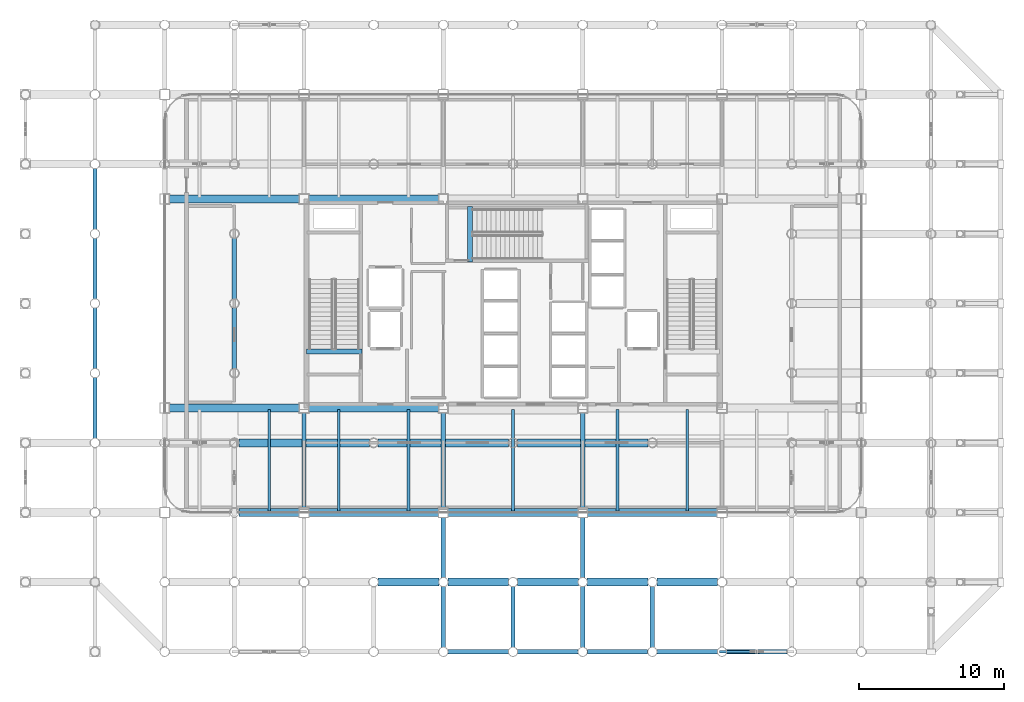
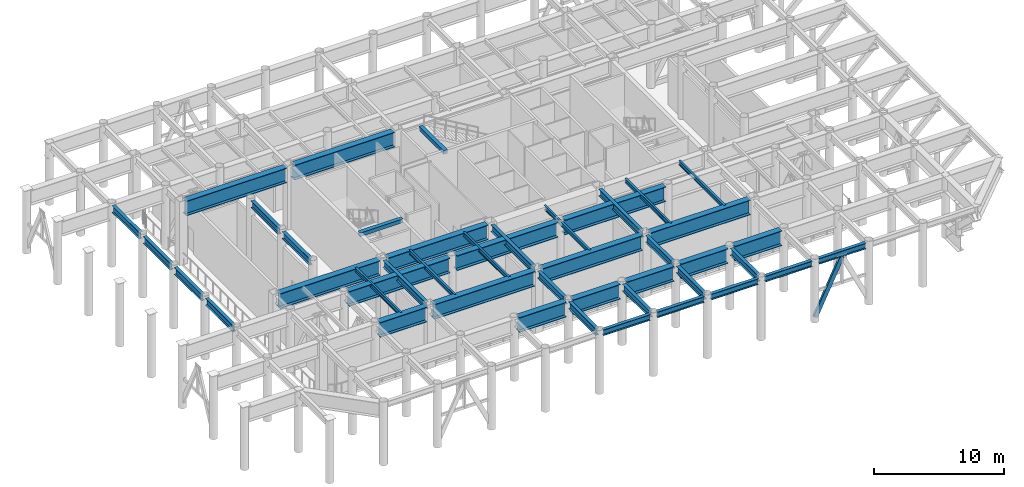
# One storey, part 6 of 20: 44 beams, 1 member.
"""IFC4 building model written with IfcOpenShell, lengths in metres."""

from ifc_helpers import new_model, si_unit, direction, frame, origin, origin_2d, place, context, subcontext, project, spatial, rectangle, hollow_rectangle, i_section, extrude, material, material_profile, profile_set, type_object, element, save


model = new_model("IFC4")

# Units and contexts
model_context = context("Model", 3, precision=1e-05, world=origin(), true_north=direction((0.0, 1.0)))
body_context = subcontext(model_context, "Body", "Model", "MODEL_VIEW")
ifc_project = project(units=[si_unit("LENGTHUNIT", "METRE"), si_unit("AREAUNIT", "SQUARE_METRE"), si_unit("VOLUMEUNIT", "CUBIC_METRE"), si_unit("PLANEANGLEUNIT", "RADIAN"), si_unit("MASSUNIT", "GRAM", prefix="KILO")], contexts=[model_context])

# Site, building, storey
site_placement = place(None, origin())
site = spatial("IfcSite", under=ifc_project, at=site_placement, CompositionType="ELEMENT")
building_placement = place(site_placement, origin())
building = spatial("IfcBuilding", under=site, at=building_placement, Name="Kallvorn Hotel Tower", CompositionType="ELEMENT")
storey_placement = place(building_placement, frame((0.0, 0.0, 185.5)))
storey = spatial("IfcBuildingStorey", under=building, at=storey_placement, Name="L46", CompositionType="ELEMENT", Elevation=185.5)

# Beams
ifc_material_1 = material(Name="Structural steel S355JR", Category="steel")
ifc_material_profile_1 = material_profile(ifc_material_1, i_section(OverallWidth=0.300048828125, OverallDepth=0.550048828125, WebThickness=0.014892578125, FlangeThickness=0.029052734375, at=origin_2d()), Name="HE 550 B")
ifc_profile_set_1 = profile_set([ifc_material_profile_1], Name="Structural steel S355JR")
beam_type_1 = type_object("IfcBeamType", Name="BM_HE550B", PredefinedType="SPANDREL", material=ifc_profile_set_1)
for number, where, z_axis, x_axis, name in (
    (1, (-4.47998046875, -24.0, 5.544921875), (1.0, 0.0, 0.0), (0.0, 1.0, 0.0), "L47 Perimeter Spandrel 164"),
    (2, (0.320068359375, -24.0, 5.544921875), (1.0, 0.0, 0.0), (0.0, 1.0, 0.0), "L47 Perimeter Spandrel 165"),
    (3, (5.1201171875, -24.0, 5.544921875), (1.0, 0.0, 0.0), (0.0, 1.0, 0.0), "L47 Perimeter Spandrel 166"),
):
    element("IfcBeam", number, at=place(storey_placement, frame(where, z_axis=z_axis, x_axis=x_axis)), inside=storey, type_object=beam_type_1, Name=name, PredefinedType="SPANDREL", context=body_context, shape_type="SweptSolid", body=[
        extrude(i_section(OverallWidth=0.300048828125, OverallDepth=0.550048828125, WebThickness=0.014892578125, FlangeThickness=0.029052734375, at=origin_2d()), origin(), (0.0, 0.0, 1.0), 4.159912109375),
    ])
beam_1_placement = place(storey_placement, frame((9.919921875, -24.0, 5.544921875), z_axis=(1.0, 0.0, 0.0), x_axis=(0.0, 1.0, 0.0)))
element("IfcBeam", 4, at=beam_1_placement, inside=storey, type_object=beam_type_1, Name="L47 Perimeter Spandrel 167", PredefinedType="SPANDREL", context=body_context, shape_type="SweptSolid", body=[
    extrude(i_section(OverallWidth=0.300048828125, OverallDepth=0.550048828125, WebThickness=0.014892578125, FlangeThickness=0.029052734375, at=origin_2d()), origin(), (0.0, 0.0, 1.0), 4.16015625),
])
beam_2_placement = place(storey_placement, frame((14.719970703125, -24.0, 5.544921875), z_axis=(1.0, 0.0, 0.0), x_axis=(0.0, 1.0, 0.0)))
element("IfcBeam", 5, at=beam_2_placement, inside=storey, type_object=beam_type_1, Name="L47 Perimeter Spandrel 168", PredefinedType="SPANDREL", context=body_context, shape_type="SweptSolid", body=[
    extrude(i_section(OverallWidth=0.300048828125, OverallDepth=0.550048828125, WebThickness=0.014892578125, FlangeThickness=0.029052734375, at=origin_2d()), origin(), (0.0, 0.0, 1.0), 4.159912109375),
])
ifc_material_2 = material(Name="Structural steel S355JR", Category="steel")
ifc_material_profile_2 = material_profile(ifc_material_2, i_section(OverallWidth=0.300048828125, OverallDepth=0.64990234375, WebThickness=0.01611328125, FlangeThickness=0.031005859375, at=origin_2d()), Name="HE 650 B")
ifc_profile_set_2 = profile_set([ifc_material_profile_2], Name="Structural steel S355JR")
beam_type_2 = type_object("IfcBeamType", Name="BM_HE650B", PredefinedType="BEAM", material=ifc_profile_set_2)
beam_3_placement = place(storey_placement, frame((-28.800048828125, -9.294921875, 5.4951171875), z_axis=(0.0, 1.0, 0.0), x_axis=(-1.0, 0.0, 0.0)))
element("IfcBeam", 6, at=beam_3_placement, inside=storey, type_object=beam_type_2, Name="L47 Primary Y-Girder 85", PredefinedType="BEAM", context=body_context, shape_type="SweptSolid", body=[
    extrude(i_section(OverallWidth=0.300048828125, OverallDepth=0.64990234375, WebThickness=0.01611328125, FlangeThickness=0.031005859375, at=origin_2d()), origin(), (0.0, 0.0, 1.0), 4.18994140625),
])
for number, where, z_axis, x_axis, name in (
    (7, (-28.800048828125, -4.4951171875, 5.4951171875), (0.0, 1.0, 0.0), (-1.0, 0.0, 0.0), "L47 Primary Y-Girder 86"),
    (8, (-28.800048828125, 0.304931640625, 5.4951171875), (0.0, 1.0, 0.0), (-1.0, 0.0, 0.0), "L47 Primary Y-Girder 87"),
):
    element("IfcBeam", number, at=place(storey_placement, frame(where, z_axis=z_axis, x_axis=x_axis)), inside=storey, type_object=beam_type_2, Name=name, PredefinedType="BEAM", context=body_context, shape_type="SweptSolid", body=[
        extrude(i_section(OverallWidth=0.300048828125, OverallDepth=0.64990234375, WebThickness=0.01611328125, FlangeThickness=0.031005859375, at=origin_2d()), origin(), (0.0, 0.0, 1.0), 4.190185546875),
    ])
beam_4_placement = place(storey_placement, frame((-28.800048828125, 5.10498046875, 5.4951171875), z_axis=(0.0, 1.0, 0.0), x_axis=(-1.0, 0.0, 0.0)))
element("IfcBeam", 9, at=beam_4_placement, inside=storey, type_object=beam_type_2, Name="L47 Primary Y-Girder 88", PredefinedType="BEAM", context=body_context, shape_type="SweptSolid", body=[
    extrude(i_section(OverallWidth=0.300048828125, OverallDepth=0.64990234375, WebThickness=0.01611328125, FlangeThickness=0.031005859375, at=origin_2d()), origin(), (0.0, 0.0, 1.0), 4.18994140625),
])
for number, where, z_axis, x_axis, name in (
    (10, (-19.199951171875, -4.4951171875, 5.4951171875), (0.0, 1.0, 0.0), (-1.0, 0.0, 0.0), "L47 Primary Y-Girder 102"),
    (11, (-19.199951171875, 0.304931640625, 5.4951171875), (0.0, 1.0, 0.0), (-1.0, 0.0, 0.0), "L47 Primary Y-Girder 103"),
):
    element("IfcBeam", number, at=place(storey_placement, frame(where, z_axis=z_axis, x_axis=x_axis)), inside=storey, type_object=beam_type_2, Name=name, PredefinedType="BEAM", context=body_context, shape_type="SweptSolid", body=[
        extrude(i_section(OverallWidth=0.300048828125, OverallDepth=0.64990234375, WebThickness=0.01611328125, FlangeThickness=0.031005859375, at=origin_2d()), origin(), (0.0, 0.0, 1.0), 4.190185546875),
    ])
beam_5_placement = place(storey_placement, frame((-14.39990234375, -14.074951171875, 5.4951171875), z_axis=(0.0, 1.0, 0.0), x_axis=(-1.0, 0.0, 0.0)))
element("IfcBeam", 12, at=beam_5_placement, inside=storey, type_object=beam_type_2, Name="L47 Primary Y-Girder 109", PredefinedType="BEAM", context=body_context, shape_type="SweptSolid", body=[
    extrude(i_section(OverallWidth=0.300048828125, OverallDepth=0.64990234375, WebThickness=0.01611328125, FlangeThickness=0.031005859375, at=origin_2d()), origin(), (0.0, 0.0, 1.0), 6.550048828125),
])
beam_6_placement = place(storey_placement, frame((-4.800048828125, -23.695068359375, 5.4951171875), z_axis=(0.0, 1.0, 0.0), x_axis=(-1.0, 0.0, 0.0)))
element("IfcBeam", 13, at=beam_6_placement, inside=storey, type_object=beam_type_2, Name="L47 Primary Y-Girder 115", PredefinedType="BEAM", context=body_context, shape_type="SweptSolid", body=[
    extrude(i_section(OverallWidth=0.300048828125, OverallDepth=0.64990234375, WebThickness=0.01611328125, FlangeThickness=0.031005859375, at=origin_2d()), origin(), (0.0, 0.0, 1.0), 4.190185546875),
])
beam_7_placement = place(storey_placement, frame((-4.800048828125, -18.89501953125, 5.4951171875), z_axis=(0.0, 1.0, 0.0), x_axis=(-1.0, 0.0, 0.0)))
element("IfcBeam", 14, at=beam_7_placement, inside=storey, type_object=beam_type_2, Name="L47 Primary Y-Girder 116", PredefinedType="BEAM", context=body_context, shape_type="SweptSolid", body=[
    extrude(i_section(OverallWidth=0.300048828125, OverallDepth=0.64990234375, WebThickness=0.01611328125, FlangeThickness=0.031005859375, at=origin_2d()), origin(), (0.0, 0.0, 1.0), 4.169921875),
])
beam_8_placement = place(storey_placement, frame((-4.800048828125, -14.074951171875, 5.4951171875), z_axis=(0.0, 1.0, 0.0), x_axis=(-1.0, 0.0, 0.0)))
element("IfcBeam", 15, at=beam_8_placement, inside=storey, type_object=beam_type_2, Name="L47 Primary Y-Girder 117", PredefinedType="BEAM", context=body_context, shape_type="SweptSolid", body=[
    extrude(i_section(OverallWidth=0.300048828125, OverallDepth=0.64990234375, WebThickness=0.01611328125, FlangeThickness=0.031005859375, at=origin_2d()), origin(), (0.0, 0.0, 1.0), 6.550048828125),
])
for number, where, z_axis, x_axis, name in (
    (16, (0.0, -23.695068359375, 5.4951171875), (0.0, 1.0, 0.0), (-1.0, 0.0, 0.0), "L47 Primary Y-Girder 120"),
    (17, (4.800048828125, -23.695068359375, 5.4951171875), (0.0, 1.0, 0.0), (-1.0, 0.0, 0.0), "L47 Primary Y-Girder 123"),
):
    element("IfcBeam", number, at=place(storey_placement, frame(where, z_axis=z_axis, x_axis=x_axis)), inside=storey, type_object=beam_type_2, Name=name, PredefinedType="BEAM", context=body_context, shape_type="SweptSolid", body=[
        extrude(i_section(OverallWidth=0.300048828125, OverallDepth=0.64990234375, WebThickness=0.01611328125, FlangeThickness=0.031005859375, at=origin_2d()), origin(), (0.0, 0.0, 1.0), 4.190185546875),
    ])
beam_9_placement = place(storey_placement, frame((4.800048828125, -18.89501953125, 5.4951171875), z_axis=(0.0, 1.0, 0.0), x_axis=(-1.0, 0.0, 0.0)))
element("IfcBeam", 18, at=beam_9_placement, inside=storey, type_object=beam_type_2, Name="L47 Primary Y-Girder 124", PredefinedType="BEAM", context=body_context, shape_type="SweptSolid", body=[
    extrude(i_section(OverallWidth=0.300048828125, OverallDepth=0.64990234375, WebThickness=0.01611328125, FlangeThickness=0.031005859375, at=origin_2d()), origin(), (0.0, 0.0, 1.0), 4.169921875),
])
beam_10_placement = place(storey_placement, frame((4.800048828125, -14.074951171875, 5.4951171875), z_axis=(0.0, 1.0, 0.0), x_axis=(-1.0, 0.0, 0.0)))
element("IfcBeam", 19, at=beam_10_placement, inside=storey, type_object=beam_type_2, Name="L47 Primary Y-Girder 125", PredefinedType="BEAM", context=body_context, shape_type="SweptSolid", body=[
    extrude(i_section(OverallWidth=0.300048828125, OverallDepth=0.64990234375, WebThickness=0.01611328125, FlangeThickness=0.031005859375, at=origin_2d()), origin(), (0.0, 0.0, 1.0), 6.550048828125),
])
beam_11_placement = place(storey_placement, frame((9.60009765625, -23.695068359375, 5.4951171875), z_axis=(0.0, 1.0, 0.0), x_axis=(-1.0, 0.0, 0.0)))
element("IfcBeam", 20, at=beam_11_placement, inside=storey, type_object=beam_type_2, Name="L47 Primary Y-Girder 128", PredefinedType="BEAM", context=body_context, shape_type="SweptSolid", body=[
    extrude(i_section(OverallWidth=0.300048828125, OverallDepth=0.64990234375, WebThickness=0.01611328125, FlangeThickness=0.031005859375, at=origin_2d()), origin(), (0.0, 0.0, 1.0), 4.190185546875),
])
ifc_material_3 = material(Name="Structural steel S355JR", Category="steel")
ifc_material_profile_3 = material_profile(ifc_material_3, i_section(OverallWidth=0.179931640625, OverallDepth=0.39990234375, WebThickness=0.008544921875, FlangeThickness=0.013427734375, at=origin_2d()), Name="IPE 400")
ifc_profile_set_3 = profile_set([ifc_material_profile_3], Name="Structural steel S355JR")
beam_type_3 = type_object("IfcBeamType", Name="BM_IPE400", PredefinedType="JOIST", material=ifc_profile_set_3)
for number, where, z_axis, x_axis, name in (
    (21, (-16.800048828125, -14.300048828125, 5.6201171875), (0.0, 1.0, 0.0), (-1.0, 0.0, 0.0), "L47 Secondary Composite Joist 203"),
    (22, (-12.0, -14.300048828125, 5.6201171875), (0.0, 1.0, 0.0), (-1.0, 0.0, 0.0), "L47 Secondary Composite Joist 205"),
    (23, (-7.199951171875, -14.300048828125, 5.6201171875), (0.0, 1.0, 0.0), (-1.0, 0.0, 0.0), "L47 Secondary Composite Joist 207"),
    (24, (0.0, -14.300048828125, 5.6201171875), (0.0, 1.0, 0.0), (-1.0, 0.0, 0.0), "L47 Secondary Composite Joist 209"),
    (25, (7.199951171875, -14.300048828125, 5.6201171875), (0.0, 1.0, 0.0), (-1.0, 0.0, 0.0), "L47 Secondary Composite Joist 211"),
    (26, (12.0, -14.300048828125, 5.6201171875), (0.0, 1.0, 0.0), (-1.0, 0.0, 0.0), "L47 Secondary Composite Joist 213"),
):
    element("IfcBeam", number, at=place(storey_placement, frame(where, z_axis=z_axis, x_axis=x_axis)), inside=storey, type_object=beam_type_3, Name=name, PredefinedType="JOIST", context=body_context, shape_type="SweptSolid", body=[
        extrude(i_section(OverallWidth=0.179931640625, OverallDepth=0.39990234375, WebThickness=0.008544921875, FlangeThickness=0.013427734375, at=origin_2d()), origin(), (0.0, 0.0, 1.0), 7.0),
    ])
ifc_material_4 = material(Name="Structural steel S355JR", Category="steel")
ifc_material_profile_4 = material_profile(ifc_material_4, i_section(OverallWidth=0.550048828125, OverallDepth=1.39990234375, WebThickness=0.02490234375, FlangeThickness=0.044921875, at=origin_2d()), Name="PG 1400x550x25x45")
ifc_profile_set_4 = profile_set([ifc_material_profile_4], Name="Structural steel S355JR")
beam_type_4 = type_object("IfcBeamType", Name="BM_PG_1400", PredefinedType="BEAM", material=ifc_profile_set_4)
beam_12_placement = place(storey_placement, frame((-9.294921875, -19.199951171875, 5.1201171875), z_axis=(1.0, 0.0, 0.0), x_axis=(0.0, 1.0, 0.0)))
element("IfcBeam", 27, at=beam_12_placement, inside=storey, type_object=beam_type_4, Name="L47 Primary X-Girder 15", PredefinedType="BEAM", context=body_context, shape_type="SweptSolid", body=[
    extrude(i_section(OverallWidth=0.550048828125, OverallDepth=1.39990234375, WebThickness=0.02490234375, FlangeThickness=0.044921875, at=origin_2d()), origin(), (0.0, 0.0, 1.0), 4.18994140625),
])
for number, where, z_axis, x_axis, name in (
    (28, (-4.4951171875, -19.199951171875, 5.1201171875), (1.0, 0.0, 0.0), (0.0, 1.0, 0.0), "L47 Primary X-Girder 16"),
    (29, (0.304931640625, -19.199951171875, 5.1201171875), (1.0, 0.0, 0.0), (0.0, 1.0, 0.0), "L47 Primary X-Girder 17"),
):
    element("IfcBeam", number, at=place(storey_placement, frame(where, z_axis=z_axis, x_axis=x_axis)), inside=storey, type_object=beam_type_4, Name=name, PredefinedType="BEAM", context=body_context, shape_type="SweptSolid", body=[
        extrude(i_section(OverallWidth=0.550048828125, OverallDepth=1.39990234375, WebThickness=0.02490234375, FlangeThickness=0.044921875, at=origin_2d()), origin(), (0.0, 0.0, 1.0), 4.190185546875),
    ])
for number, where, z_axis, x_axis, name in (
    (30, (5.10498046875, -19.199951171875, 5.1201171875), (1.0, 0.0, 0.0), (0.0, 1.0, 0.0), "L47 Primary X-Girder 18"),
    (31, (9.905029296875, -19.199951171875, 5.1201171875), (1.0, 0.0, 0.0), (0.0, 1.0, 0.0), "L47 Primary X-Girder 19"),
):
    element("IfcBeam", number, at=place(storey_placement, frame(where, z_axis=z_axis, x_axis=x_axis)), inside=storey, type_object=beam_type_4, Name=name, PredefinedType="BEAM", context=body_context, shape_type="SweptSolid", body=[
        extrude(i_section(OverallWidth=0.550048828125, OverallDepth=1.39990234375, WebThickness=0.02490234375, FlangeThickness=0.044921875, at=origin_2d()), origin(), (0.0, 0.0, 1.0), 4.18994140625),
    ])
beam_13_placement = place(storey_placement, frame((-18.89501953125, -14.39990234375, 5.1201171875), z_axis=(1.0, 0.0, 0.0), x_axis=(0.0, 1.0, 0.0)))
element("IfcBeam", 32, at=beam_13_placement, inside=storey, type_object=beam_type_4, Name="L47 Primary X-Girder 26", PredefinedType="BEAM", context=body_context, shape_type="SweptSolid", body=[
    extrude(i_section(OverallWidth=0.550048828125, OverallDepth=1.39990234375, WebThickness=0.02490234375, FlangeThickness=0.044921875, at=origin_2d()), origin(), (0.0, 0.0, 1.0), 4.169921875),
])
beam_14_placement = place(storey_placement, frame((-14.074951171875, -14.39990234375, 5.1201171875), z_axis=(1.0, 0.0, 0.0), x_axis=(0.0, 1.0, 0.0)))
element("IfcBeam", 33, at=beam_14_placement, inside=storey, type_object=beam_type_4, Name="L47 Primary X-Girder 27", PredefinedType="BEAM", context=body_context, shape_type="SweptSolid", body=[
    extrude(i_section(OverallWidth=0.550048828125, OverallDepth=1.39990234375, WebThickness=0.02490234375, FlangeThickness=0.044921875, at=origin_2d()), origin(), (0.0, 0.0, 1.0), 8.949951171875),
])
beam_15_placement = place(storey_placement, frame((-4.47509765625, -14.39990234375, 5.1201171875), z_axis=(1.0, 0.0, 0.0), x_axis=(0.0, 1.0, 0.0)))
element("IfcBeam", 34, at=beam_15_placement, inside=storey, type_object=beam_type_4, Name="L47 Primary X-Girder 28", PredefinedType="BEAM", context=body_context, shape_type="SweptSolid", body=[
    extrude(i_section(OverallWidth=0.550048828125, OverallDepth=1.39990234375, WebThickness=0.02490234375, FlangeThickness=0.044921875, at=origin_2d()), origin(), (0.0, 0.0, 1.0), 8.9501953125),
])
beam_16_placement = place(storey_placement, frame((5.125, -14.39990234375, 5.1201171875), z_axis=(1.0, 0.0, 0.0), x_axis=(0.0, 1.0, 0.0)))
element("IfcBeam", 35, at=beam_16_placement, inside=storey, type_object=beam_type_4, Name="L47 Primary X-Girder 29", PredefinedType="BEAM", context=body_context, shape_type="SweptSolid", body=[
    extrude(i_section(OverallWidth=0.550048828125, OverallDepth=1.39990234375, WebThickness=0.02490234375, FlangeThickness=0.044921875, at=origin_2d()), origin(), (0.0, 0.0, 1.0), 8.949951171875),
])
for number, where, z_axis, x_axis, name in (
    (36, (-18.89501953125, -9.60009765625, 5.1201171875), (1.0, 0.0, 0.0), (0.0, 1.0, 0.0), "L47 Primary X-Girder 36"),
    (37, (-9.294921875, -9.60009765625, 5.1201171875), (1.0, 0.0, 0.0), (0.0, 1.0, 0.0), "L47 Primary X-Girder 37"),
    (38, (0.304931640625, -9.60009765625, 5.1201171875), (1.0, 0.0, 0.0), (0.0, 1.0, 0.0), "L47 Primary X-Girder 38"),
):
    element("IfcBeam", number, at=place(storey_placement, frame(where, z_axis=z_axis, x_axis=x_axis)), inside=storey, type_object=beam_type_4, Name=name, PredefinedType="BEAM", context=body_context, shape_type="SweptSolid", body=[
        extrude(i_section(OverallWidth=0.550048828125, OverallDepth=1.39990234375, WebThickness=0.02490234375, FlangeThickness=0.044921875, at=origin_2d()), origin(), (0.0, 0.0, 1.0), 8.989990234375),
    ])
for number, where, z_axis, x_axis, name in (
    (39, (-23.675048828125, -7.199951171875, 5.1201171875), (1.0, 0.0, 0.0), (0.0, 1.0, 0.0), "L47 Primary X-Girder 42"),
    (40, (-14.074951171875, -7.199951171875, 5.1201171875), (1.0, 0.0, 0.0), (0.0, 1.0, 0.0), "L47 Primary X-Girder 43"),
    (41, (-23.675048828125, 7.199951171875, 5.1201171875), (1.0, 0.0, 0.0), (0.0, 1.0, 0.0), "L47 Primary X-Girder 46"),
    (42, (-14.074951171875, 7.199951171875, 5.1201171875), (1.0, 0.0, 0.0), (0.0, 1.0, 0.0), "L47 Primary X-Girder 47"),
):
    element("IfcBeam", number, at=place(storey_placement, frame(where, z_axis=z_axis, x_axis=x_axis)), inside=storey, type_object=beam_type_4, Name=name, PredefinedType="BEAM", context=body_context, shape_type="SweptSolid", body=[
        extrude(i_section(OverallWidth=0.550048828125, OverallDepth=1.39990234375, WebThickness=0.02490234375, FlangeThickness=0.044921875, at=origin_2d()), origin(), (0.0, 0.0, 1.0), 8.949951171875),
    ])
ifc_material_5 = material(Name="Concrete C50/60", Category="concrete")
ifc_material_profile_5 = material_profile(ifc_material_5, rectangle(XDim=0.360107421875, YDim=0.340087890625, at=origin_2d()), Name="RC 360x340")
ifc_profile_set_5 = profile_set([ifc_material_profile_5], Name="Concrete C50/60")
beam_type_5 = type_object("IfcBeamType", Name="BM_RC_400x360", PredefinedType="BEAM", material=ifc_profile_set_5)
beam_17_placement = place(storey_placement, frame((-10.419921875, -3.31005859375, 5.64990234375), z_axis=(-1.0, 0.0, 0.0), x_axis=(0.0, -1.0, 0.0)))
element("IfcBeam", 43, at=beam_17_placement, inside=storey, type_object=beam_type_5, Name="L47 Stair ST1 Arrival Trimmer Beam", PredefinedType="BEAM", context=body_context, shape_type="SweptSolid", body=[
    extrude(rectangle(XDim=0.360107421875, YDim=0.340087890625, at=origin_2d()), origin(), (0.0, 0.0, 1.0), 3.820068359375),
])
beam_18_placement = place(storey_placement, frame((-2.9599609375, 2.8701171875, 5.64990234375), z_axis=(0.0, 1.0, 0.0), x_axis=(-1.0, 0.0, 0.0)))
element("IfcBeam", 44, at=beam_18_placement, inside=storey, type_object=beam_type_5, Name="L47 Stair ST3 Arrival Trimmer Beam", PredefinedType="BEAM", context=body_context, shape_type="SweptSolid", body=[
    extrude(rectangle(XDim=0.360107421875, YDim=0.340087890625, at=origin_2d()), origin(), (0.0, 0.0, 1.0), 3.81982421875),
])

# Member
ifc_material_6 = material(Name="Structural steel S355J2H", Category="steel")
ifc_material_profile_6 = material_profile(ifc_material_6, hollow_rectangle(XDim=0.199951171875, YDim=0.39990234375, WallThickness=0.02001953125, at=origin_2d()), Name="RHS 400x200x20")
ifc_profile_set_6 = profile_set([ifc_material_profile_6], Name="Structural steel S355J2H")
member_type = type_object("IfcMemberType", Name="MBR_BELT_RHS400", PredefinedType="BRACE", material=ifc_profile_set_6)
member_placement = place(storey_placement, frame((14.40869140625, -24.0, 0.367919921875), z_axis=(0.439167354297, 0.0, 0.898405273203), x_axis=(0.0, 1.0, 0.0)))
element("IfcMember", 45, at=member_placement, inside=storey, type_object=member_type, Name="L46 Belt Truss Diagonal 2A", PredefinedType="BRACE", context=body_context, shape_type="SweptSolid", body=[
    extrude(hollow_rectangle(XDim=0.199951171875, YDim=0.39990234375, WallThickness=0.02001953125, at=origin_2d()), origin(), (0.0, 0.0, 1.0), 5.42529296875),
])

save(model, "model.ifc")
